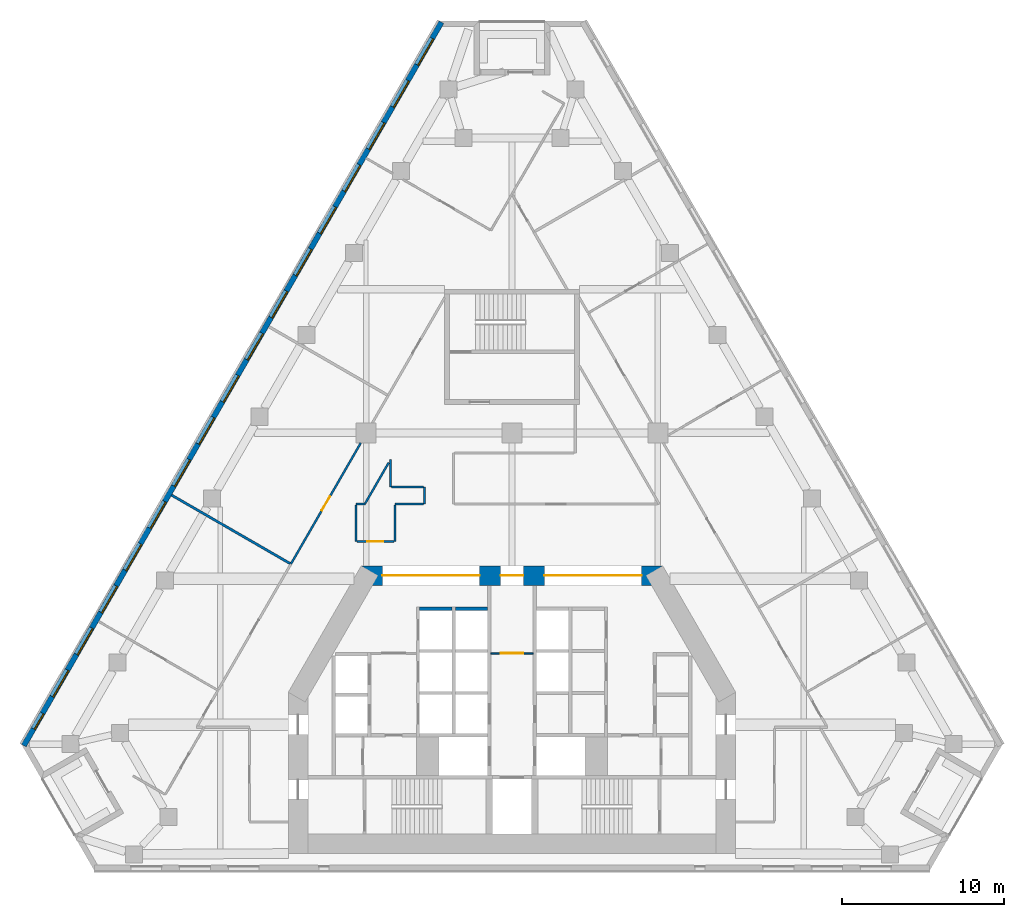
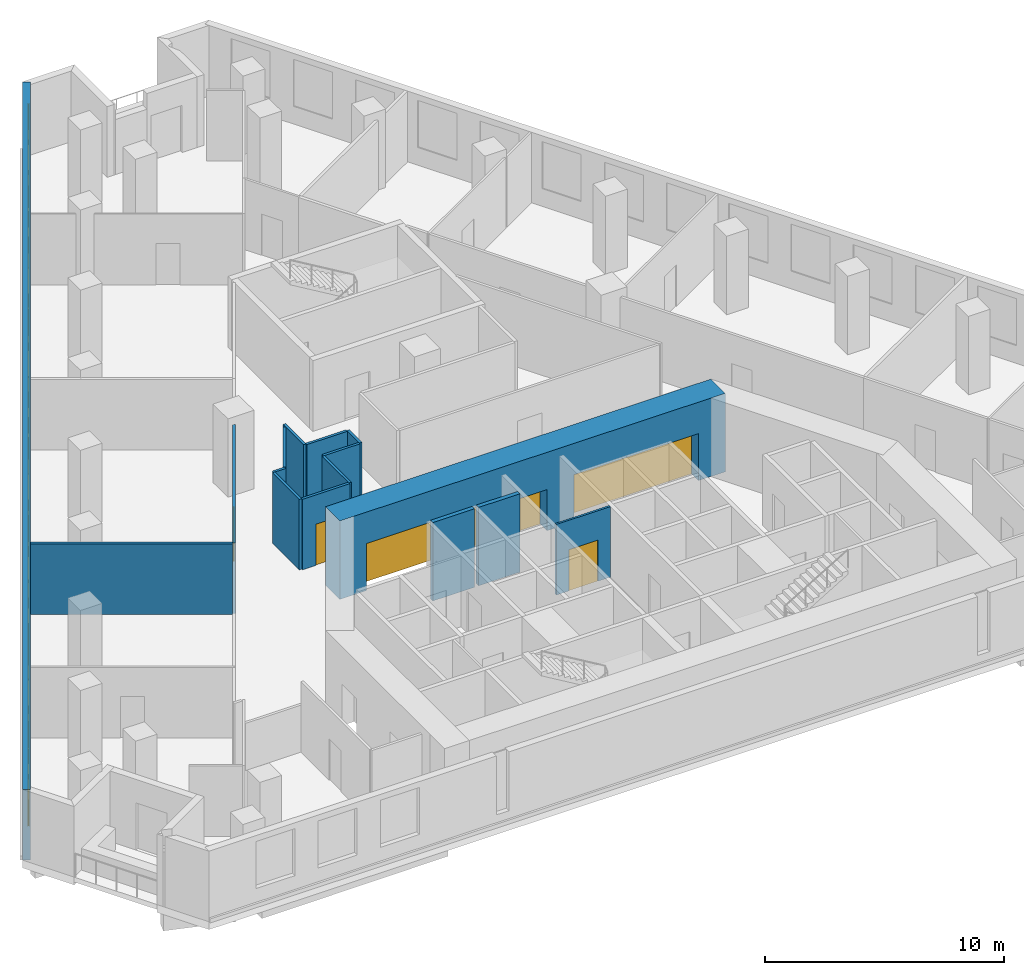
# One storey, part 5 of 10: 17 windows, 16 walls, 6 doors, 23 openings.
"""IFC4 building model written with IfcOpenShell, lengths in metres."""

import ifcopenshell
import ifcopenshell.guid

model = None  # the IFC model being written
_history = None  # IfcOwnerHistory: only IFC2X3 demands one
_inside = {}  # id of a spatial element -> (the spatial element, [elements in it])
_under = {}  # id of a project, library or spatial element -> (it, [spatial elements below it])
_declared = {}  # id of a project -> (the project, [libraries it declares])
_typed = {}  # id of a type object -> (the type object, [elements of that type])
_made_of = {}  # id of a material, layer set ... -> (it, [elements and type objects made of it])


def new_model(schema):
    """Start an empty IFC model of exactly this schema.

    Asked for "IFC4X3", IfcOpenShell would pick the latest addendum, in which some entities
    have other attributes; the version numbers below select the first issue.
    IFC2X3 requires an IfcOwnerHistory on every rooted entity: one is made here for all.
    """
    global model, _history
    if schema == "IFC4X3":
        model = ifcopenshell.file(schema_version=(4, 3, 0, 0))
    else:
        model = ifcopenshell.file(schema=schema)
    _inside.clear()
    _under.clear()
    _declared.clear()
    _typed.clear()
    _made_of.clear()
    _history = None
    if model.schema == "IFC2X3":
        org = make("IfcOrganization", Name="unknown")
        user = make(
            "IfcPersonAndOrganization",
            ThePerson=make("IfcPerson", FamilyName="unknown"),
            TheOrganization=org,
        )
        app = make(
            "IfcApplication",
            ApplicationDeveloper=org,
            Version="unknown",
            ApplicationFullName="unknown",
            ApplicationIdentifier="unknown",
        )
        _history = make(
            "IfcOwnerHistory",
            OwningUser=user,
            OwningApplication=app,
            ChangeAction="ADDED",
            CreationDate=0,
        )
    return model


def make(cls, **values):
    """One entity of the class cls with the attributes given. An attribute that is None is left unset."""
    return model.create_entity(
        cls, **{name: value for name, value in values.items() if value is not None}
    )


def rooted(cls, **values):
    """An entity with a GlobalId (a new one), such as an element, a storey or a relation."""
    return make(cls, GlobalId=ifcopenshell.guid.new(), OwnerHistory=_history, **values)


def si_unit(unit_type, name, prefix=None):
    """IfcSIUnit, for example si_unit("LENGTHUNIT", "METRE", prefix="MILLI")."""
    return make("IfcSIUnit", UnitType=unit_type, Prefix=prefix, Name=name)


def assignment(units):
    """IfcUnitAssignment: the units of a project."""
    return None if units is None else make("IfcUnitAssignment", Units=units)


def point(xyz):
    """IfcCartesianPoint."""
    return None if xyz is None else make("IfcCartesianPoint", Coordinates=xyz)


def direction(xyz):
    """IfcDirection."""
    return None if xyz is None else make("IfcDirection", DirectionRatios=xyz)


def frame(location, z_axis=None, x_axis=None):
    """IfcAxis2Placement3D, a coordinate frame: its origin and axes. An axis left out is left unset."""
    return make(
        "IfcAxis2Placement3D",
        Location=point(location),
        Axis=direction(z_axis),
        RefDirection=direction(x_axis),
    )


def frame_2d(location, x_axis=None):
    """IfcAxis2Placement2D, a coordinate frame in the plane: its origin and x axis."""
    return make(
        "IfcAxis2Placement2D", Location=point(location), RefDirection=direction(x_axis)
    )


def origin():
    """The frame at (0, 0, 0) with its axes left unset."""
    return frame((0.0, 0.0, 0.0))


def place(relative_to, where):
    """IfcLocalPlacement: puts the frame where relative to a parent placement (None: the world)."""
    return make(
        "IfcLocalPlacement", PlacementRelTo=relative_to, RelativePlacement=where
    )


def context(
    kind, dimensions, precision=None, world=None, true_north=None, identifier=None
):
    """IfcGeometricRepresentationContext, for example the 3D "Model" context."""
    return make(
        "IfcGeometricRepresentationContext",
        ContextIdentifier=identifier,
        ContextType=kind,
        CoordinateSpaceDimension=dimensions,
        Precision=precision,
        WorldCoordinateSystem=world,
        TrueNorth=true_north,
    )


def subcontext(parent, identifier, kind, view, scale=None):
    """IfcGeometricRepresentationSubContext, for example "Body" below "Model"."""
    return make(
        "IfcGeometricRepresentationSubContext",
        ContextIdentifier=identifier,
        ContextType=kind,
        ParentContext=parent,
        TargetScale=scale,
        TargetView=view,
    )


def project(units=None, contexts=None):
    """IfcProject with its units and contexts."""
    return rooted(
        "IfcProject",
        Name="project",
        RepresentationContexts=contexts,
        UnitsInContext=assignment(units),
    )


def spatial(cls, under=None, at=None, **own):
    """A site, building, storey or space (cls), placed at a placement, below another one or the project."""
    s = rooted(cls, ObjectPlacement=at, **own)
    if under is not None:
        _under.setdefault(under.id(), (under, []))[1].append(s)
    return s


def profile(cls, at=None, kind="AREA", **sizes):
    """A parametric profile (cls). Its sizes go by their IFC names, for example OverallWidth=200.0."""
    return make(cls, ProfileType=kind, Position=at, **sizes)


def rectangle(**sizes):
    """IfcRectangleProfileDef."""
    return profile("IfcRectangleProfileDef", **sizes)


def extrude(swept, where, along, depth):
    """IfcExtrudedAreaSolid: the profile swept, set in the frame where, extruded along a direction by depth."""
    return make(
        "IfcExtrudedAreaSolid",
        SweptArea=swept,
        Position=where,
        ExtrudedDirection=direction(along),
        Depth=depth,
    )


def shape(context_of_items, identifier, shape_type, items):
    """IfcShapeRepresentation: the items that make up one representation, for example the "Body"."""
    return make(
        "IfcShapeRepresentation",
        ContextOfItems=context_of_items,
        RepresentationIdentifier=identifier,
        RepresentationType=shape_type,
        Items=items,
    )


def material(Name=None, Category=None):
    """IfcMaterial."""
    return make("IfcMaterial", Name=Name, Category=Category)


def layer(
    of_material, thickness, ventilated=None, Name=None, Category=None, Priority=None
):
    """IfcMaterialLayer: one layer of a wall or slab, of a material (None: an air gap)."""
    return make(
        "IfcMaterialLayer",
        Material=of_material,
        LayerThickness=thickness,
        IsVentilated=ventilated,
        Name=Name,
        Category=Category,
        Priority=Priority,
    )


def layer_set(layers, Name=None):
    """IfcMaterialLayerSet."""
    return make("IfcMaterialLayerSet", MaterialLayers=layers, LayerSetName=Name)


def made_of(thing, what):
    """Note that an element or type object is made of a material, layer set ...; save() writes the relation."""
    if what is not None:
        _made_of.setdefault(what.id(), (what, []))[1].append(thing)
    return thing


def type_object(cls, material=None, **own):
    """A type object (cls), such as IfcWallType, which elements share."""
    return made_of(rooted(cls, **own), material)


def element(
    cls,
    number,
    at=None,
    inside=None,
    cuts=None,
    type_object=None,
    material=None,
    context=None,
    identifier="Body",
    shape_type=None,
    held_by="IfcProductDefinitionShape",
    body=None,
    shapes=None,
    **own,
):
    """One element of the class cls, such as IfcWall. Its Tag is "e" and its number.

    at: its placement. inside: the storey or other place that contains it. cuts: it is an
    opening in that element (IfcRelVoidsElement). A single representation is given by context,
    identifier, shape_type and body (its items); several are given by shapes. held_by: the class
    of the entity that holds the representations. save() writes the other relations.
    """
    e = rooted(cls, Tag="e%d" % number, ObjectPlacement=at, **own)
    if body is not None:
        shapes = [shape(context, identifier, shape_type, body)]
    if shapes is not None:
        e.Representation = make(held_by, Representations=shapes)
    if inside is not None:
        _inside.setdefault(inside.id(), (inside, []))[1].append(e)
    if cuts is not None:
        rooted(
            "IfcRelVoidsElement", RelatingBuildingElement=cuts, RelatedOpeningElement=e
        )
    if type_object is not None:
        _typed.setdefault(type_object.id(), (type_object, []))[1].append(e)
    return made_of(e, material)


def fill(opening, filler):
    """IfcRelFillsElement: the door or window that sits in an opening."""
    return rooted(
        "IfcRelFillsElement",
        RelatingOpeningElement=opening,
        RelatedBuildingElement=filler,
    )


def aggregate(whole, parts):
    """IfcRelAggregates: a whole, such as a stair, and the parts it consists of."""
    return rooted("IfcRelAggregates", RelatingObject=whole, RelatedObjects=parts)


def save(model, path):
    """Write the relations noted so far, then the file.

    IfcRelAggregates (storeys below a building ...), IfcRelContainedInSpatialStructure (elements
    in a storey), IfcRelDefinesByType, IfcRelAssociatesMaterial and IfcRelDeclares: one each for
    every whole, place, type object, material and project.
    """
    for whole, parts in _under.values():
        aggregate(whole, parts)
    for where, things in _inside.values():
        rooted(
            "IfcRelContainedInSpatialStructure",
            RelatedElements=things,
            RelatingStructure=where,
        )
    for kind, things in _typed.values():
        rooted("IfcRelDefinesByType", RelatedObjects=things, RelatingType=kind)
    for what, things in _made_of.values():
        rooted("IfcRelAssociatesMaterial", RelatedObjects=things, RelatingMaterial=what)
    for by, libraries in _declared.values():
        rooted("IfcRelDeclares", RelatingContext=by, RelatedDefinitions=libraries)
    model.write(path)


model = new_model("IFC4")

# Units and contexts
model_context = context("Model", 3, precision=1e-05, world=origin(), true_north=direction((0.0, 1.0)))
body_context = subcontext(model_context, "Body", "Model", "MODEL_VIEW")
ifc_project = project(units=[si_unit("LENGTHUNIT", "METRE"), si_unit("AREAUNIT", "SQUARE_METRE"), si_unit("VOLUMEUNIT", "CUBIC_METRE"), si_unit("PLANEANGLEUNIT", "RADIAN"), si_unit("MASSUNIT", "GRAM", prefix="KILO")], contexts=[model_context])

# Site, building, storey
site_placement = place(None, origin())
site = spatial("IfcSite", under=ifc_project, at=site_placement, CompositionType="ELEMENT")
building_placement = place(site_placement, origin())
building = spatial("IfcBuilding", under=site, at=building_placement, Name="Fogline Exchange Tower", CompositionType="ELEMENT")
storey_placement = place(building_placement, frame((0.0, 0.0, 112.10009765625)))
storey = spatial("IfcBuildingStorey", under=building, at=storey_placement, Name="L24", CompositionType="ELEMENT", Elevation=112.10009765625)

# Wall, opening, door
ifc_material_1 = material(Name="Blockwork partition", Category="masonry")
ifc_layer_1 = layer(ifc_material_1, 0.10009765625)
ifc_layer_set_1 = layer_set([ifc_layer_1], Name="CW10")
wall_type_1 = type_object("IfcWallType", Name="CW10", PredefinedType="PARTITIONING", material=ifc_layer_set_1)
wall_1_placement = place(storey_placement, frame((-1.300048828125, 13.39990234375, 0.0), z_axis=(0.0, 0.0, 1.0), x_axis=(1.0, 0.0, 0.0)))
wall_1 = element("IfcWall", 1, at=wall_1_placement, inside=storey, type_object=wall_type_1, Name="Lift lobby partition", PredefinedType="PARTITIONING", context=body_context, shape_type="SweptSolid", body=[
    extrude(rectangle(XDim=2.60009765625, YDim=0.10009765625, at=frame_2d((1.300048828125, 0.0))), origin(), (0.0, 0.0, 1.0), 3.599853515625),
])
opening_1_placement = place(wall_1_placement, frame((0.60009765625, 0.0, 0.0)))
opening_1 = element("IfcOpeningElement", 2, at=opening_1_placement, cuts=wall_1, Name="Opening T07-C018", PredefinedType="OPENING", context=body_context, shape_type="SweptSolid", body=[
    extrude(rectangle(XDim=1.39990234375, YDim=2.10009765625, at=frame_2d((0.699951171875, 1.050048828125))), frame((0.0, 0.06005859375, 0.0), z_axis=(0.0, -1.0, 0.0), x_axis=(1.0, 0.0, 0.0)), (0.0, 0.0, 1.0), 0.1201171875),
])
ifc_material_2 = material(Name="Steel and timber fire door", Category="steel")
door_type_1 = type_object("IfcDoorType", Name="D-LB1", OperationType="DOUBLE_DOOR_SINGLE_SWING", PredefinedType="DOOR", material=ifc_material_2)
door_1_placement = place(opening_1_placement, origin())
door_1 = element("IfcDoor", 3, at=door_1_placement, inside=storey, type_object=door_type_1, Name="Door to firefighting lift lobby", OperationType="DOUBLE_DOOR_SINGLE_SWING", OverallHeight=2.10009765625, OverallWidth=1.39990234375, PredefinedType="DOOR", context=body_context, shape_type="SweptSolid", body=[
    extrude(rectangle(XDim=1.39990234375, YDim=2.10009765625, at=frame_2d((0.699951171875, 1.050048828125))), frame((0.0, 0.02490234375, 0.0), z_axis=(0.0, -1.0, 0.0), x_axis=(1.0, 0.0, 0.0)), (0.0, 0.0, 1.0), 0.050048828125),
])
fill(opening_1, door_1)

# Walls
ifc_material_3 = material(Name="Concrete C40", Category="concrete")
ifc_layer_2 = layer(ifc_material_3, 0.199951171875)
ifc_layer_set_2 = layer_set([ifc_layer_2], Name="CW20S")
wall_type_2 = type_object("IfcWallType", Name="CW20S", PredefinedType="SOLIDWALL", material=ifc_layer_set_2)
for number, where, z_axis, x_axis, name in (
    (4, (-5.699951171875, 16.14990234375, -0.400146484375), (0.0, 0.0, 1.0), (1.0, 0.0, 0.0), "Lift shaft wall"),
    (5, (-3.5, 16.14990234375, -0.400146484375), (0.0, 0.0, 1.0), (1.0, 0.0, 0.0), "Lift shaft wall"),
):
    element("IfcWall", number, at=place(storey_placement, frame(where, z_axis=z_axis, x_axis=x_axis)), inside=storey, type_object=wall_type_2, Name=name, PredefinedType="SOLIDWALL", context=body_context, shape_type="SweptSolid", body=[
        extrude(rectangle(XDim=2.0, YDim=0.199951171875, at=frame_2d((1.0, 0.0))), origin(), (0.0, 0.0, 1.0), 4.0),
    ])

# Wall, openings, windows
ifc_material_4 = material(Name="Brick masonry", Category="masonry")
ifc_layer_3 = layer(ifc_material_4, 0.340087890625)
ifc_layer_set_3 = layer_set([ifc_layer_3], Name="FW1")
wall_type_3 = type_object("IfcWallType", Name="FW1", PredefinedType="SOLIDWALL", material=ifc_layer_set_3)
wall_2_placement = place(storey_placement, frame((-4.352783203125, 52.336669921875, 0.0), z_axis=(0.0, 0.0, 1.0), x_axis=(-0.49999941333, -0.866025742498, 0.0)))
wall_2 = element("IfcWall", 6, at=wall_2_placement, inside=storey, type_object=wall_type_3, Name="Brick wall L24 W", PredefinedType="SOLIDWALL", context=body_context, shape_type="SweptSolid", body=[
    extrude(rectangle(XDim=51.53125, YDim=0.340087890625, at=frame_2d((25.765625, 0.0))), origin(), (0.0, 0.0, 1.0), 3.599853515625),
])
opening_2_placement = place(wall_2_placement, frame((1.1484375, 0.0, 0.89990234375)))
opening_2 = element("IfcOpeningElement", 7, at=opening_2_placement, cuts=wall_2, Name="Opening W1", PredefinedType="OPENING", context=body_context, shape_type="SweptSolid", body=[
    extrude(rectangle(XDim=1.885009765625, YDim=2.39990234375, at=frame_2d((0.9423828125, 1.199951171875))), frame((0.0, 0.18017578125, 0.0), z_axis=(0.0, -1.0, 0.0), x_axis=(1.0, 0.0, 0.0)), (0.0, 0.0, 1.0), 0.360107421875),
])
opening_3_placement = place(wall_2_placement, frame((4.1484375, 0.0, 0.89990234375)))
opening_3 = element("IfcOpeningElement", 8, at=opening_3_placement, cuts=wall_2, Name="Opening W1", PredefinedType="OPENING", context=body_context, shape_type="SweptSolid", body=[
    extrude(rectangle(XDim=1.885009765625, YDim=2.39990234375, at=frame_2d((0.9423828125, 1.199951171875))), frame((0.0, 0.18017578125, 0.0), z_axis=(0.0, -1.0, 0.0), x_axis=(1.0, 0.0, 0.0)), (0.0, 0.0, 1.0), 0.360107421875),
])
opening_4_placement = place(wall_2_placement, frame((7.1484375, 0.0, 0.89990234375)))
opening_4 = element("IfcOpeningElement", 9, at=opening_4_placement, cuts=wall_2, Name="Opening W1", PredefinedType="OPENING", context=body_context, shape_type="SweptSolid", body=[
    extrude(rectangle(XDim=1.885009765625, YDim=2.39990234375, at=frame_2d((0.9423828125, 1.199951171875))), frame((0.0, 0.18017578125, 0.0), z_axis=(0.0, -1.0, 0.0), x_axis=(1.0, 0.0, 0.0)), (0.0, 0.0, 1.0), 0.360107421875),
])
opening_5_placement = place(wall_2_placement, frame((10.1484375, 0.0, 0.89990234375)))
opening_5 = element("IfcOpeningElement", 10, at=opening_5_placement, cuts=wall_2, Name="Opening W1", PredefinedType="OPENING", context=body_context, shape_type="SweptSolid", body=[
    extrude(rectangle(XDim=1.885009765625, YDim=2.39990234375, at=frame_2d((0.9423828125, 1.199951171875))), frame((0.0, 0.18017578125, 0.0), z_axis=(0.0, -1.0, 0.0), x_axis=(1.0, 0.0, 0.0)), (0.0, 0.0, 1.0), 0.360107421875),
])
opening_6_placement = place(wall_2_placement, frame((13.1484375, 0.0, 0.89990234375)))
opening_6 = element("IfcOpeningElement", 11, at=opening_6_placement, cuts=wall_2, Name="Opening W1", PredefinedType="OPENING", context=body_context, shape_type="SweptSolid", body=[
    extrude(rectangle(XDim=1.885009765625, YDim=2.39990234375, at=frame_2d((0.9423828125, 1.199951171875))), frame((0.0, 0.18017578125, 0.0), z_axis=(0.0, -1.0, 0.0), x_axis=(1.0, 0.0, 0.0)), (0.0, 0.0, 1.0), 0.360107421875),
])
opening_7_placement = place(wall_2_placement, frame((16.1484375, 0.0, 0.89990234375)))
opening_7 = element("IfcOpeningElement", 12, at=opening_7_placement, cuts=wall_2, Name="Opening W1", PredefinedType="OPENING", context=body_context, shape_type="SweptSolid", body=[
    extrude(rectangle(XDim=1.885009765625, YDim=2.39990234375, at=frame_2d((0.9423828125, 1.199951171875))), frame((0.0, 0.18017578125, 0.0), z_axis=(0.0, -1.0, 0.0), x_axis=(1.0, 0.0, 0.0)), (0.0, 0.0, 1.0), 0.360107421875),
])
opening_8_placement = place(wall_2_placement, frame((19.1484375, 0.0, 0.89990234375)))
opening_8 = element("IfcOpeningElement", 13, at=opening_8_placement, cuts=wall_2, Name="Opening W1", PredefinedType="OPENING", context=body_context, shape_type="SweptSolid", body=[
    extrude(rectangle(XDim=1.885009765625, YDim=2.39990234375, at=frame_2d((0.9423828125, 1.199951171875))), frame((0.0, 0.18017578125, 0.0), z_axis=(0.0, -1.0, 0.0), x_axis=(1.0, 0.0, 0.0)), (0.0, 0.0, 1.0), 0.360107421875),
])
opening_9_placement = place(wall_2_placement, frame((22.1484375, 0.0, 0.89990234375)))
opening_9 = element("IfcOpeningElement", 14, at=opening_9_placement, cuts=wall_2, Name="Opening W1", PredefinedType="OPENING", context=body_context, shape_type="SweptSolid", body=[
    extrude(rectangle(XDim=1.885009765625, YDim=2.39990234375, at=frame_2d((0.9423828125, 1.199951171875))), frame((0.0, 0.18017578125, 0.0), z_axis=(0.0, -1.0, 0.0), x_axis=(1.0, 0.0, 0.0)), (0.0, 0.0, 1.0), 0.360107421875),
])
opening_10_placement = place(wall_2_placement, frame((25.1484375, 0.0, 0.89990234375)))
opening_10 = element("IfcOpeningElement", 15, at=opening_10_placement, cuts=wall_2, Name="Opening W1", PredefinedType="OPENING", context=body_context, shape_type="SweptSolid", body=[
    extrude(rectangle(XDim=1.885009765625, YDim=2.39990234375, at=frame_2d((0.9423828125, 1.199951171875))), frame((0.0, 0.18017578125, 0.0), z_axis=(0.0, -1.0, 0.0), x_axis=(1.0, 0.0, 0.0)), (0.0, 0.0, 1.0), 0.360107421875),
])
opening_11_placement = place(wall_2_placement, frame((28.1484375, 0.0, 0.89990234375)))
opening_11 = element("IfcOpeningElement", 16, at=opening_11_placement, cuts=wall_2, Name="Opening W1", PredefinedType="OPENING", context=body_context, shape_type="SweptSolid", body=[
    extrude(rectangle(XDim=1.885009765625, YDim=2.39990234375, at=frame_2d((0.9423828125, 1.199951171875))), frame((0.0, 0.18017578125, 0.0), z_axis=(0.0, -1.0, 0.0), x_axis=(1.0, 0.0, 0.0)), (0.0, 0.0, 1.0), 0.360107421875),
])
opening_12_placement = place(wall_2_placement, frame((31.1484375, 0.0, 0.89990234375)))
opening_12 = element("IfcOpeningElement", 17, at=opening_12_placement, cuts=wall_2, Name="Opening W1", PredefinedType="OPENING", context=body_context, shape_type="SweptSolid", body=[
    extrude(rectangle(XDim=1.885009765625, YDim=2.39990234375, at=frame_2d((0.9423828125, 1.199951171875))), frame((0.0, 0.18017578125, 0.0), z_axis=(0.0, -1.0, 0.0), x_axis=(1.0, 0.0, 0.0)), (0.0, 0.0, 1.0), 0.360107421875),
])
opening_13_placement = place(wall_2_placement, frame((34.1484375, 0.0, 0.89990234375)))
opening_13 = element("IfcOpeningElement", 18, at=opening_13_placement, cuts=wall_2, Name="Opening W1", PredefinedType="OPENING", context=body_context, shape_type="SweptSolid", body=[
    extrude(rectangle(XDim=1.885009765625, YDim=2.39990234375, at=frame_2d((0.9423828125, 1.199951171875))), frame((0.0, 0.18017578125, 0.0), z_axis=(0.0, -1.0, 0.0), x_axis=(1.0, 0.0, 0.0)), (0.0, 0.0, 1.0), 0.360107421875),
])
opening_14_placement = place(wall_2_placement, frame((37.1484375, 0.0, 0.89990234375)))
opening_14 = element("IfcOpeningElement", 19, at=opening_14_placement, cuts=wall_2, Name="Opening W1", PredefinedType="OPENING", context=body_context, shape_type="SweptSolid", body=[
    extrude(rectangle(XDim=1.885009765625, YDim=2.39990234375, at=frame_2d((0.9423828125, 1.199951171875))), frame((0.0, 0.18017578125, 0.0), z_axis=(0.0, -1.0, 0.0), x_axis=(1.0, 0.0, 0.0)), (0.0, 0.0, 1.0), 0.360107421875),
])
opening_15_placement = place(wall_2_placement, frame((40.1484375, 0.0, 0.89990234375)))
opening_15 = element("IfcOpeningElement", 20, at=opening_15_placement, cuts=wall_2, Name="Opening W1", PredefinedType="OPENING", context=body_context, shape_type="SweptSolid", body=[
    extrude(rectangle(XDim=1.885009765625, YDim=2.39990234375, at=frame_2d((0.9423828125, 1.199951171875))), frame((0.0, 0.18017578125, 0.0), z_axis=(0.0, -1.0, 0.0), x_axis=(1.0, 0.0, 0.0)), (0.0, 0.0, 1.0), 0.360107421875),
])
opening_16_placement = place(wall_2_placement, frame((43.1484375, 0.0, 0.89990234375)))
opening_16 = element("IfcOpeningElement", 21, at=opening_16_placement, cuts=wall_2, Name="Opening W1", PredefinedType="OPENING", context=body_context, shape_type="SweptSolid", body=[
    extrude(rectangle(XDim=1.885009765625, YDim=2.39990234375, at=frame_2d((0.9423828125, 1.199951171875))), frame((0.0, 0.18017578125, 0.0), z_axis=(0.0, -1.0, 0.0), x_axis=(1.0, 0.0, 0.0)), (0.0, 0.0, 1.0), 0.360107421875),
])
opening_17_placement = place(wall_2_placement, frame((46.1484375, 0.0, 0.89990234375)))
opening_17 = element("IfcOpeningElement", 22, at=opening_17_placement, cuts=wall_2, Name="Opening W1", PredefinedType="OPENING", context=body_context, shape_type="SweptSolid", body=[
    extrude(rectangle(XDim=1.885009765625, YDim=2.39990234375, at=frame_2d((0.9423828125, 1.199951171875))), frame((0.0, 0.18017578125, 0.0), z_axis=(0.0, -1.0, 0.0), x_axis=(1.0, 0.0, 0.0)), (0.0, 0.0, 1.0), 0.360107421875),
])
opening_18_placement = place(wall_2_placement, frame((49.224853515625, 0.0, 0.89990234375)))
opening_18 = element("IfcOpeningElement", 23, at=opening_18_placement, cuts=wall_2, Name="Opening W4", PredefinedType="OPENING", context=body_context, shape_type="SweptSolid", body=[
    extrude(rectangle(XDim=1.114990234375, YDim=2.39990234375, at=frame_2d((0.5576171875, 1.199951171875))), frame((0.0, 0.18017578125, 0.0), z_axis=(0.0, -1.0, 0.0), x_axis=(1.0, 0.0, 0.0)), (0.0, 0.0, 1.0), 0.360107421875),
])
ifc_material_5 = material(Name="Aluminium and glass", Category="aluminium")
window_type_1 = type_object("IfcWindowType", Name="W1", PartitioningType="SINGLE_PANEL", PredefinedType="WINDOW", material=ifc_material_5)
window_1_placement = place(opening_2_placement, origin())
window_1 = element("IfcWindow", 24, at=window_1_placement, inside=storey, type_object=window_type_1, Name="W1 W1", OverallHeight=2.39990234375, OverallWidth=1.885009765625, PartitioningType="SINGLE_PANEL", PredefinedType="WINDOW", context=body_context, shape_type="SweptSolid", body=[
    extrude(rectangle(XDim=1.885009765625, YDim=2.39990234375, at=frame_2d((0.9423828125, 1.199951171875))), frame((0.0, 0.110107421875, 0.0), z_axis=(0.0, -1.0, 0.0), x_axis=(1.0, 0.0, 0.0)), (0.0, 0.0, 1.0), 0.06005859375),
])
fill(opening_2, window_1)
window_2_placement = place(opening_3_placement, origin())
window_2 = element("IfcWindow", 25, at=window_2_placement, inside=storey, type_object=window_type_1, Name="W1 W1", OverallHeight=2.39990234375, OverallWidth=1.885009765625, PartitioningType="SINGLE_PANEL", PredefinedType="WINDOW", context=body_context, shape_type="SweptSolid", body=[
    extrude(rectangle(XDim=1.885009765625, YDim=2.39990234375, at=frame_2d((0.9423828125, 1.199951171875))), frame((0.0, 0.110107421875, 0.0), z_axis=(0.0, -1.0, 0.0), x_axis=(1.0, 0.0, 0.0)), (0.0, 0.0, 1.0), 0.06005859375),
])
fill(opening_3, window_2)
window_3_placement = place(opening_4_placement, origin())
window_3 = element("IfcWindow", 26, at=window_3_placement, inside=storey, type_object=window_type_1, Name="W1 W1", OverallHeight=2.39990234375, OverallWidth=1.885009765625, PartitioningType="SINGLE_PANEL", PredefinedType="WINDOW", context=body_context, shape_type="SweptSolid", body=[
    extrude(rectangle(XDim=1.885009765625, YDim=2.39990234375, at=frame_2d((0.9423828125, 1.199951171875))), frame((0.0, 0.110107421875, 0.0), z_axis=(0.0, -1.0, 0.0), x_axis=(1.0, 0.0, 0.0)), (0.0, 0.0, 1.0), 0.06005859375),
])
fill(opening_4, window_3)
window_4_placement = place(opening_5_placement, origin())
window_4 = element("IfcWindow", 27, at=window_4_placement, inside=storey, type_object=window_type_1, Name="W1 W1", OverallHeight=2.39990234375, OverallWidth=1.885009765625, PartitioningType="SINGLE_PANEL", PredefinedType="WINDOW", context=body_context, shape_type="SweptSolid", body=[
    extrude(rectangle(XDim=1.885009765625, YDim=2.39990234375, at=frame_2d((0.9423828125, 1.199951171875))), frame((0.0, 0.110107421875, 0.0), z_axis=(0.0, -1.0, 0.0), x_axis=(1.0, 0.0, 0.0)), (0.0, 0.0, 1.0), 0.06005859375),
])
fill(opening_5, window_4)
window_5_placement = place(opening_6_placement, origin())
window_5 = element("IfcWindow", 28, at=window_5_placement, inside=storey, type_object=window_type_1, Name="W1 W1", OverallHeight=2.39990234375, OverallWidth=1.885009765625, PartitioningType="SINGLE_PANEL", PredefinedType="WINDOW", context=body_context, shape_type="SweptSolid", body=[
    extrude(rectangle(XDim=1.885009765625, YDim=2.39990234375, at=frame_2d((0.9423828125, 1.199951171875))), frame((0.0, 0.110107421875, 0.0), z_axis=(0.0, -1.0, 0.0), x_axis=(1.0, 0.0, 0.0)), (0.0, 0.0, 1.0), 0.06005859375),
])
fill(opening_6, window_5)
window_6_placement = place(opening_7_placement, origin())
window_6 = element("IfcWindow", 29, at=window_6_placement, inside=storey, type_object=window_type_1, Name="W1 W1", OverallHeight=2.39990234375, OverallWidth=1.885009765625, PartitioningType="SINGLE_PANEL", PredefinedType="WINDOW", context=body_context, shape_type="SweptSolid", body=[
    extrude(rectangle(XDim=1.885009765625, YDim=2.39990234375, at=frame_2d((0.9423828125, 1.199951171875))), frame((0.0, 0.110107421875, 0.0), z_axis=(0.0, -1.0, 0.0), x_axis=(1.0, 0.0, 0.0)), (0.0, 0.0, 1.0), 0.06005859375),
])
fill(opening_7, window_6)
window_7_placement = place(opening_8_placement, origin())
window_7 = element("IfcWindow", 30, at=window_7_placement, inside=storey, type_object=window_type_1, Name="W1 W1", OverallHeight=2.39990234375, OverallWidth=1.885009765625, PartitioningType="SINGLE_PANEL", PredefinedType="WINDOW", context=body_context, shape_type="SweptSolid", body=[
    extrude(rectangle(XDim=1.885009765625, YDim=2.39990234375, at=frame_2d((0.9423828125, 1.199951171875))), frame((0.0, 0.110107421875, 0.0), z_axis=(0.0, -1.0, 0.0), x_axis=(1.0, 0.0, 0.0)), (0.0, 0.0, 1.0), 0.06005859375),
])
fill(opening_8, window_7)
window_8_placement = place(opening_9_placement, origin())
window_8 = element("IfcWindow", 31, at=window_8_placement, inside=storey, type_object=window_type_1, Name="W1 W1", OverallHeight=2.39990234375, OverallWidth=1.885009765625, PartitioningType="SINGLE_PANEL", PredefinedType="WINDOW", context=body_context, shape_type="SweptSolid", body=[
    extrude(rectangle(XDim=1.885009765625, YDim=2.39990234375, at=frame_2d((0.9423828125, 1.199951171875))), frame((0.0, 0.110107421875, 0.0), z_axis=(0.0, -1.0, 0.0), x_axis=(1.0, 0.0, 0.0)), (0.0, 0.0, 1.0), 0.06005859375),
])
fill(opening_9, window_8)
window_9_placement = place(opening_10_placement, origin())
window_9 = element("IfcWindow", 32, at=window_9_placement, inside=storey, type_object=window_type_1, Name="W1 W1", OverallHeight=2.39990234375, OverallWidth=1.885009765625, PartitioningType="SINGLE_PANEL", PredefinedType="WINDOW", context=body_context, shape_type="SweptSolid", body=[
    extrude(rectangle(XDim=1.885009765625, YDim=2.39990234375, at=frame_2d((0.9423828125, 1.199951171875))), frame((0.0, 0.110107421875, 0.0), z_axis=(0.0, -1.0, 0.0), x_axis=(1.0, 0.0, 0.0)), (0.0, 0.0, 1.0), 0.06005859375),
])
fill(opening_10, window_9)
window_10_placement = place(opening_11_placement, origin())
window_10 = element("IfcWindow", 33, at=window_10_placement, inside=storey, type_object=window_type_1, Name="W1 W1", OverallHeight=2.39990234375, OverallWidth=1.885009765625, PartitioningType="SINGLE_PANEL", PredefinedType="WINDOW", context=body_context, shape_type="SweptSolid", body=[
    extrude(rectangle(XDim=1.885009765625, YDim=2.39990234375, at=frame_2d((0.9423828125, 1.199951171875))), frame((0.0, 0.110107421875, 0.0), z_axis=(0.0, -1.0, 0.0), x_axis=(1.0, 0.0, 0.0)), (0.0, 0.0, 1.0), 0.06005859375),
])
fill(opening_11, window_10)
window_11_placement = place(opening_12_placement, origin())
window_11 = element("IfcWindow", 34, at=window_11_placement, inside=storey, type_object=window_type_1, Name="W1 W1", OverallHeight=2.39990234375, OverallWidth=1.885009765625, PartitioningType="SINGLE_PANEL", PredefinedType="WINDOW", context=body_context, shape_type="SweptSolid", body=[
    extrude(rectangle(XDim=1.885009765625, YDim=2.39990234375, at=frame_2d((0.9423828125, 1.199951171875))), frame((0.0, 0.110107421875, 0.0), z_axis=(0.0, -1.0, 0.0), x_axis=(1.0, 0.0, 0.0)), (0.0, 0.0, 1.0), 0.06005859375),
])
fill(opening_12, window_11)
window_12_placement = place(opening_13_placement, origin())
window_12 = element("IfcWindow", 35, at=window_12_placement, inside=storey, type_object=window_type_1, Name="W1 W1", OverallHeight=2.39990234375, OverallWidth=1.885009765625, PartitioningType="SINGLE_PANEL", PredefinedType="WINDOW", context=body_context, shape_type="SweptSolid", body=[
    extrude(rectangle(XDim=1.885009765625, YDim=2.39990234375, at=frame_2d((0.9423828125, 1.199951171875))), frame((0.0, 0.110107421875, 0.0), z_axis=(0.0, -1.0, 0.0), x_axis=(1.0, 0.0, 0.0)), (0.0, 0.0, 1.0), 0.06005859375),
])
fill(opening_13, window_12)
window_13_placement = place(opening_14_placement, origin())
window_13 = element("IfcWindow", 36, at=window_13_placement, inside=storey, type_object=window_type_1, Name="W1 W1", OverallHeight=2.39990234375, OverallWidth=1.885009765625, PartitioningType="SINGLE_PANEL", PredefinedType="WINDOW", context=body_context, shape_type="SweptSolid", body=[
    extrude(rectangle(XDim=1.885009765625, YDim=2.39990234375, at=frame_2d((0.9423828125, 1.199951171875))), frame((0.0, 0.110107421875, 0.0), z_axis=(0.0, -1.0, 0.0), x_axis=(1.0, 0.0, 0.0)), (0.0, 0.0, 1.0), 0.06005859375),
])
fill(opening_14, window_13)
window_14_placement = place(opening_15_placement, origin())
window_14 = element("IfcWindow", 37, at=window_14_placement, inside=storey, type_object=window_type_1, Name="W1 W1", OverallHeight=2.39990234375, OverallWidth=1.885009765625, PartitioningType="SINGLE_PANEL", PredefinedType="WINDOW", context=body_context, shape_type="SweptSolid", body=[
    extrude(rectangle(XDim=1.885009765625, YDim=2.39990234375, at=frame_2d((0.9423828125, 1.199951171875))), frame((0.0, 0.110107421875, 0.0), z_axis=(0.0, -1.0, 0.0), x_axis=(1.0, 0.0, 0.0)), (0.0, 0.0, 1.0), 0.06005859375),
])
fill(opening_15, window_14)
window_15_placement = place(opening_16_placement, origin())
window_15 = element("IfcWindow", 38, at=window_15_placement, inside=storey, type_object=window_type_1, Name="W1 W1", OverallHeight=2.39990234375, OverallWidth=1.885009765625, PartitioningType="SINGLE_PANEL", PredefinedType="WINDOW", context=body_context, shape_type="SweptSolid", body=[
    extrude(rectangle(XDim=1.885009765625, YDim=2.39990234375, at=frame_2d((0.9423828125, 1.199951171875))), frame((0.0, 0.110107421875, 0.0), z_axis=(0.0, -1.0, 0.0), x_axis=(1.0, 0.0, 0.0)), (0.0, 0.0, 1.0), 0.06005859375),
])
fill(opening_16, window_15)
window_16_placement = place(opening_17_placement, origin())
window_16 = element("IfcWindow", 39, at=window_16_placement, inside=storey, type_object=window_type_1, Name="W1 W1", OverallHeight=2.39990234375, OverallWidth=1.885009765625, PartitioningType="SINGLE_PANEL", PredefinedType="WINDOW", context=body_context, shape_type="SweptSolid", body=[
    extrude(rectangle(XDim=1.885009765625, YDim=2.39990234375, at=frame_2d((0.9423828125, 1.199951171875))), frame((0.0, 0.110107421875, 0.0), z_axis=(0.0, -1.0, 0.0), x_axis=(1.0, 0.0, 0.0)), (0.0, 0.0, 1.0), 0.06005859375),
])
fill(opening_17, window_16)
window_type_2 = type_object("IfcWindowType", Name="W4", PartitioningType="SINGLE_PANEL", PredefinedType="WINDOW", material=ifc_material_5)
window_17_placement = place(opening_18_placement, origin())
window_17 = element("IfcWindow", 40, at=window_17_placement, inside=storey, type_object=window_type_2, Name="W4 W4", OverallHeight=2.39990234375, OverallWidth=1.114990234375, PartitioningType="SINGLE_PANEL", PredefinedType="WINDOW", context=body_context, shape_type="SweptSolid", body=[
    extrude(rectangle(XDim=1.114990234375, YDim=2.39990234375, at=frame_2d((0.5576171875, 1.199951171875))), frame((0.0, 0.110107421875, 0.0), z_axis=(0.0, -1.0, 0.0), x_axis=(1.0, 0.0, 0.0)), (0.0, 0.0, 1.0), 0.06005859375),
])
fill(opening_18, window_17)

# Wall
ifc_material_6 = material(Name="Plasterboard corridor partition with mineral wool, 2 layers each side")
ifc_layer_4 = layer(ifc_material_6, 0.125)
ifc_layer_set_4 = layer_set([ifc_layer_4], Name="PW2")
wall_type_4 = type_object("IfcWallType", Name="PW2", PredefinedType="PARTITIONING", material=ifc_layer_set_4)
wall_3_placement = place(storey_placement, frame((-9.629638671875, 22.53759765625, 0.0), z_axis=(0.0, 0.0, 1.0), x_axis=(0.0, -1.0, 0.0)))
element("IfcWall", 41, at=wall_3_placement, inside=storey, type_object=wall_type_4, Name="wall-L24-W004", PredefinedType="PARTITIONING", context=body_context, shape_type="SweptSolid", body=[
    extrude(rectangle(XDim=2.237548828125, YDim=0.125, at=frame_2d((1.11865234375, 0.0))), origin(), (0.0, 0.0, 1.0), 3.599853515625),
])

# Wall, opening, door
wall_4_placement = place(storey_placement, frame((-9.567138671875, 20.300048828125, 0.0), z_axis=(0.0, 0.0, 1.0), x_axis=(1.0, 0.0, 0.0)))
wall_4 = element("IfcWall", 42, at=wall_4_placement, inside=storey, type_object=wall_type_4, Name="wall-L24-W005", PredefinedType="PARTITIONING", context=body_context, shape_type="SweptSolid", body=[
    extrude(rectangle(XDim=2.275146484375, YDim=0.125, at=frame_2d((1.1376953125, 0.0))), origin(), (0.0, 0.0, 1.0), 3.599853515625),
])
opening_19_placement = place(wall_4_placement, frame((0.637451171875, 0.0, 0.0)))
opening_19 = element("IfcOpeningElement", 43, at=opening_19_placement, cuts=wall_4, Name="Opening T07-D003", PredefinedType="OPENING", context=body_context, shape_type="SweptSolid", body=[
    extrude(rectangle(XDim=1.0, YDim=2.10009765625, at=frame_2d((0.5, 1.050048828125))), frame((0.0, 0.072509765625, 0.0), z_axis=(0.0, -1.0, 0.0), x_axis=(1.0, 0.0, 0.0)), (0.0, 0.0, 1.0), 0.14501953125),
])
ifc_material_7 = material(Name="Fire-rated timber door leaf with steel frame", Category="steel")
door_type_2 = type_object("IfcDoorType", Name="D3", OperationType="SINGLE_SWING_LEFT", PredefinedType="DOOR", material=ifc_material_7)
door_2_placement = place(opening_19_placement, origin())
door_2 = element("IfcDoor", 44, at=door_2_placement, inside=storey, type_object=door_type_2, Name="door-L24-D003", OperationType="SINGLE_SWING_LEFT", OverallHeight=2.10009765625, OverallWidth=1.0, PredefinedType="DOOR", context=body_context, shape_type="SweptSolid", body=[
    extrude(rectangle(XDim=1.0, YDim=2.10009765625, at=frame_2d((0.5, 1.050048828125))), frame((0.0, 0.02490234375, 0.0), z_axis=(0.0, -1.0, 0.0), x_axis=(1.0, 0.0, 0.0)), (0.0, 0.0, 1.0), 0.050048828125),
])
fill(opening_19, door_2)

# Walls
wall_5_placement = place(storey_placement, frame((-7.2294921875, 20.300048828125, 0.0), z_axis=(0.0, 0.0, 1.0), x_axis=(0.0, 1.0, 0.0)))
element("IfcWall", 45, at=wall_5_placement, inside=storey, type_object=wall_type_4, Name="wall-L24-W006", PredefinedType="PARTITIONING", context=body_context, shape_type="SweptSolid", body=[
    extrude(rectangle(XDim=2.237548828125, YDim=0.125, at=frame_2d((1.11865234375, 0.0))), origin(), (0.0, 0.0, 1.0), 3.599853515625),
])
wall_6_placement = place(storey_placement, frame((-7.2294921875, 22.60009765625, 0.0), z_axis=(0.0, 0.0, 1.0), x_axis=(1.0, 0.0, 0.0)))
element("IfcWall", 46, at=wall_6_placement, inside=storey, type_object=wall_type_4, Name="wall-L24-W007", PredefinedType="PARTITIONING", context=body_context, shape_type="SweptSolid", body=[
    extrude(rectangle(XDim=1.76708984375, YDim=0.125, at=frame_2d((0.883544921875, 0.0))), origin(), (0.0, 0.0, 1.0), 3.599853515625),
])

# Wall, opening, door
wall_7_placement = place(storey_placement, frame((-13.639892578125, 18.910888671875, 0.0), z_axis=(0.0, 0.0, 1.0), x_axis=(0.499992993823, 0.866029448765, 0.0)))
wall_7 = element("IfcWall", 47, at=wall_7_placement, inside=storey, type_object=wall_type_4, Name="wall-L24-W011", PredefinedType="PARTITIONING", context=body_context, shape_type="SweptSolid", body=[
    extrude(rectangle(XDim=8.61865234375, YDim=0.125, at=frame_2d((4.309326171875, 0.0))), origin(), (0.0, 0.0, 1.0), 3.599853515625),
])
opening_20_placement = place(wall_7_placement, frame((3.809326171875, 0.0, 0.0)))
opening_20 = element("IfcOpeningElement", 48, at=opening_20_placement, cuts=wall_7, Name="Opening T07-D006", PredefinedType="OPENING", context=body_context, shape_type="SweptSolid", body=[
    extrude(rectangle(XDim=1.0, YDim=2.10009765625, at=frame_2d((0.5, 1.050048828125))), frame((0.0, 0.072509765625, 0.0), z_axis=(0.0, -1.0, 0.0), x_axis=(1.0, 0.0, 0.0)), (0.0, 0.0, 1.0), 0.14501953125),
])
door_3_placement = place(opening_20_placement, origin())
door_3 = element("IfcDoor", 49, at=door_3_placement, inside=storey, type_object=door_type_2, Name="door-L24-D006", OperationType="SINGLE_SWING_LEFT", OverallHeight=2.10009765625, OverallWidth=1.0, PredefinedType="DOOR", context=body_context, shape_type="SweptSolid", body=[
    extrude(rectangle(XDim=1.0, YDim=2.10009765625, at=frame_2d((0.5, 1.050048828125))), frame((0.0, 0.02490234375, 0.0), z_axis=(0.0, -1.0, 0.0), x_axis=(1.0, 0.0, 0.0)), (0.0, 0.0, 1.0), 0.050048828125),
])
fill(opening_20, door_3)

# Walls
wall_8_placement = place(storey_placement, frame((-7.602294921875, 25.16796875, 0.0), z_axis=(0.0, 0.0, 1.0), x_axis=(-0.500077942386, -0.86598039905, 0.0)))
element("IfcWall", 50, at=wall_8_placement, inside=storey, type_object=wall_type_4, Name="wall-L24-W013", PredefinedType="PARTITIONING", context=body_context, shape_type="SweptSolid", body=[
    extrude(rectangle(XDim=2.89306640625, YDim=0.125, at=frame_2d((1.446533203125, 0.0))), origin(), (0.0, 0.0, 1.0), 3.599853515625),
])
wall_9_placement = place(storey_placement, frame((-9.04833984375, 22.60009765625, 0.0), z_axis=(0.0, 0.0, 1.0), x_axis=(-1.0, 0.0, 0.0)))
element("IfcWall", 51, at=wall_9_placement, inside=storey, type_object=wall_type_4, Name="wall-L24-W014", PredefinedType="PARTITIONING", context=body_context, shape_type="SweptSolid", body=[
    extrude(rectangle(XDim=0.581298828125, YDim=0.125, at=frame_2d((0.29052734375, 0.0))), origin(), (0.0, 0.0, 1.0), 3.599853515625),
])
wall_10_placement = place(storey_placement, frame((-7.485595703125, 23.656982421875, 0.0), z_axis=(0.0, 0.0, 1.0), x_axis=(0.0, 1.0, 0.0)))
element("IfcWall", 52, at=wall_10_placement, inside=storey, type_object=wall_type_4, Name="wall-L24-W029", PredefinedType="PARTITIONING", context=body_context, shape_type="SweptSolid", body=[
    extrude(rectangle(XDim=1.71337890625, YDim=0.125, at=frame_2d((0.856689453125, 0.0))), origin(), (0.0, 0.0, 1.0), 3.599853515625),
])
wall_11_placement = place(storey_placement, frame((-5.46240234375, 23.656982421875, 0.0), z_axis=(0.0, 0.0, 1.0), x_axis=(-1.0, 0.0, 0.0)))
element("IfcWall", 53, at=wall_11_placement, inside=storey, type_object=wall_type_4, Name="wall-L24-W030", PredefinedType="PARTITIONING", context=body_context, shape_type="SweptSolid", body=[
    extrude(rectangle(XDim=1.960693359375, YDim=0.125, at=frame_2d((0.98046875, 0.0))), origin(), (0.0, 0.0, 1.0), 3.599853515625),
])
wall_12_placement = place(storey_placement, frame((-5.39990234375, 22.60009765625, 0.0), z_axis=(0.0, 0.0, 1.0), x_axis=(0.0, 1.0, 0.0)))
element("IfcWall", 54, at=wall_12_placement, inside=storey, type_object=wall_type_4, Name="wall-L24-W032", PredefinedType="PARTITIONING", context=body_context, shape_type="SweptSolid", body=[
    extrude(rectangle(XDim=1.056884765625, YDim=0.125, at=frame_2d((0.5283203125, 0.0))), origin(), (0.0, 0.0, 1.0), 3.599853515625),
])
ifc_material_8 = material(Name="Plasterboard demising partition with mineral wool and acoustic board")
ifc_layer_5 = layer(ifc_material_8, 0.14990234375)
ifc_layer_set_5 = layer_set([ifc_layer_5], Name="PW3")
wall_type_5 = type_object("IfcWallType", Name="PW3", PredefinedType="PARTITIONING", material=ifc_layer_set_5)
wall_13_placement = place(storey_placement, frame((-13.69384765625, 18.9423828125, 0.0), z_axis=(0.0, 0.0, 1.0), x_axis=(-0.866039105107, 0.499976267863, 0.0)))
element("IfcWall", 55, at=wall_13_placement, inside=storey, type_object=wall_type_5, Name="wall-L24-W047", PredefinedType="PARTITIONING", context=body_context, shape_type="SweptSolid", body=[
    extrude(rectangle(XDim=8.4375, YDim=0.14990234375, at=frame_2d((4.21875, 0.0))), origin(), (0.0, 0.0, 1.0), 3.599853515625),
])

# Wall, openings, doors
ifc_material_9 = material(Name="Concrete C60", Category="concrete")
ifc_layer_6 = layer(ifc_material_9, 1.199951171875)
ifc_layer_set_6 = layer_set([ifc_layer_6], Name="SW02")
wall_type_6 = type_object("IfcWallType", Name="SW02", PredefinedType="SHEAR", material=ifc_layer_set_6)
wall_14_placement = place(storey_placement, frame((9.296142578125, 18.199951171875, 0.0), z_axis=(0.0, 0.0, 1.0), x_axis=(-1.0, 0.0, 0.0)))
wall_14 = element("IfcWall", 56, at=wall_14_placement, inside=storey, type_object=wall_type_6, Name="L24-W904", PredefinedType="SHEAR", context=body_context, shape_type="SweptSolid", body=[
    extrude(rectangle(XDim=18.59228515625, YDim=1.199951171875, at=frame_2d((9.296142578125, 0.0))), origin(), (0.0, 0.0, 1.0), 4.0),
])
opening_21_placement = place(wall_14_placement, frame((8.59619140625, 0.0, 0.0)))
opening_21 = element("IfcOpeningElement", 57, at=opening_21_placement, cuts=wall_14, Name="Opening T07-C019", PredefinedType="OPENING", context=body_context, shape_type="SweptSolid", body=[
    extrude(rectangle(XDim=1.39990234375, YDim=2.10009765625, at=frame_2d((0.699951171875, 1.050048828125))), frame((0.0, 0.60986328125, 0.0), z_axis=(0.0, -1.0, 0.0), x_axis=(1.0, 0.0, 0.0)), (0.0, 0.0, 1.0), 1.219970703125),
])
opening_22_placement = place(wall_14_placement, frame((11.296142578125, 0.0, 0.0)))
opening_22 = element("IfcOpeningElement", 58, at=opening_22_placement, cuts=wall_14, Name="Opening T07-C020", PredefinedType="OPENING", context=body_context, shape_type="SweptSolid", body=[
    extrude(rectangle(XDim=6.0, YDim=2.39990234375, at=frame_2d((3.0, 1.199951171875))), frame((0.0, 0.60986328125, 0.0), z_axis=(0.0, -1.0, 0.0), x_axis=(1.0, 0.0, 0.0)), (0.0, 0.0, 1.0), 1.219970703125),
])
opening_23_placement = place(wall_14_placement, frame((1.296142578125, 0.0, 0.0)))
opening_23 = element("IfcOpeningElement", 59, at=opening_23_placement, cuts=wall_14, Name="Opening T07-C021", PredefinedType="OPENING", context=body_context, shape_type="SweptSolid", body=[
    extrude(rectangle(XDim=6.0, YDim=2.39990234375, at=frame_2d((3.0, 1.199951171875))), frame((0.0, 0.60986328125, 0.0), z_axis=(0.0, -1.0, 0.0), x_axis=(1.0, 0.0, 0.0)), (0.0, 0.0, 1.0), 1.219970703125),
])
door_4_placement = place(opening_21_placement, origin())
door_4 = element("IfcDoor", 60, at=door_4_placement, inside=storey, type_object=door_type_1, Name="Protected lobby door", OperationType="DOUBLE_DOOR_SINGLE_SWING", OverallHeight=2.10009765625, OverallWidth=1.39990234375, PredefinedType="DOOR", context=body_context, shape_type="SweptSolid", body=[
    extrude(rectangle(XDim=1.39990234375, YDim=2.10009765625, at=frame_2d((0.699951171875, 1.050048828125))), frame((0.0, 0.02490234375, 0.0), z_axis=(0.0, -1.0, 0.0), x_axis=(1.0, 0.0, 0.0)), (0.0, 0.0, 1.0), 0.050048828125),
])
fill(opening_21, door_4)
door_type_3 = type_object("IfcDoorType", Name="D-LE1", OperationType="DOUBLE_DOOR_SLIDING", PredefinedType="DOOR", material=ifc_material_2)
door_5_placement = place(opening_22_placement, origin())
door_5 = element("IfcDoor", 61, at=door_5_placement, inside=storey, type_object=door_type_3, Name="Lift lobby entrance west", OperationType="DOUBLE_DOOR_SLIDING", OverallHeight=2.39990234375, OverallWidth=6.0, PredefinedType="DOOR", context=body_context, shape_type="SweptSolid", body=[
    extrude(rectangle(XDim=6.0, YDim=2.39990234375, at=frame_2d((3.0, 1.199951171875))), frame((0.0, 0.02490234375, 0.0), z_axis=(0.0, -1.0, 0.0), x_axis=(1.0, 0.0, 0.0)), (0.0, 0.0, 1.0), 0.050048828125),
])
fill(opening_22, door_5)
door_6_placement = place(opening_23_placement, origin())
door_6 = element("IfcDoor", 62, at=door_6_placement, inside=storey, type_object=door_type_3, Name="Lift lobby entrance east", OperationType="DOUBLE_DOOR_SLIDING", OverallHeight=2.39990234375, OverallWidth=6.0, PredefinedType="DOOR", context=body_context, shape_type="SweptSolid", body=[
    extrude(rectangle(XDim=6.0, YDim=2.39990234375, at=frame_2d((3.0, 1.199951171875))), frame((0.0, 0.02490234375, 0.0), z_axis=(0.0, -1.0, 0.0), x_axis=(1.0, 0.0, 0.0)), (0.0, 0.0, 1.0), 0.050048828125),
])
fill(opening_23, door_6)

save(model, "model.ifc")
